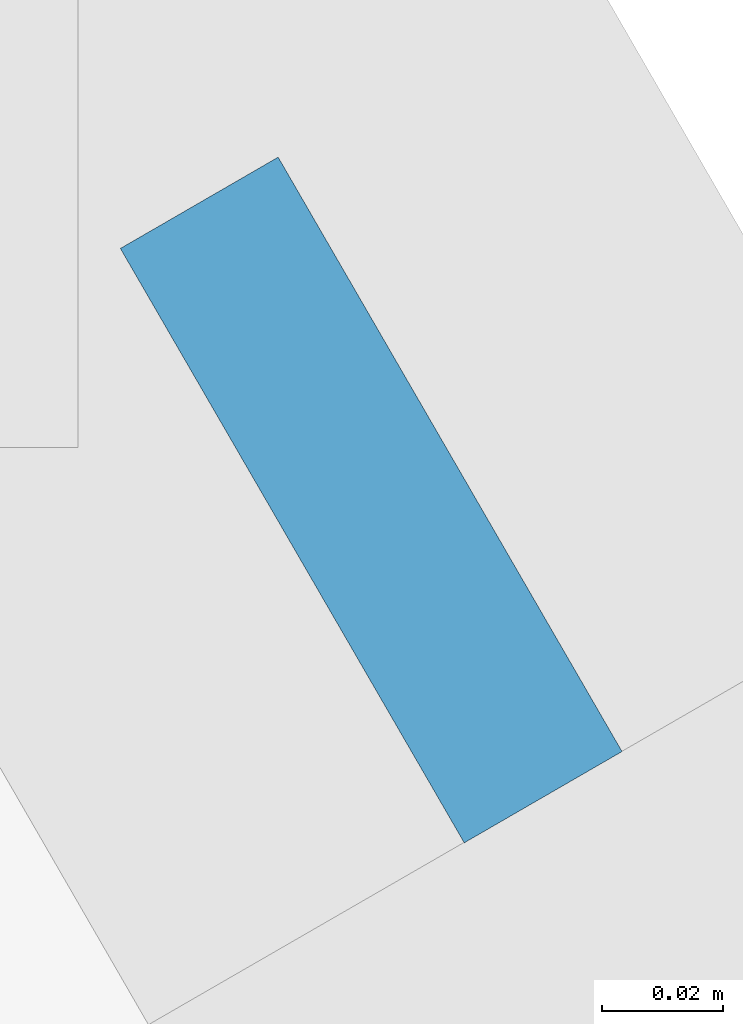
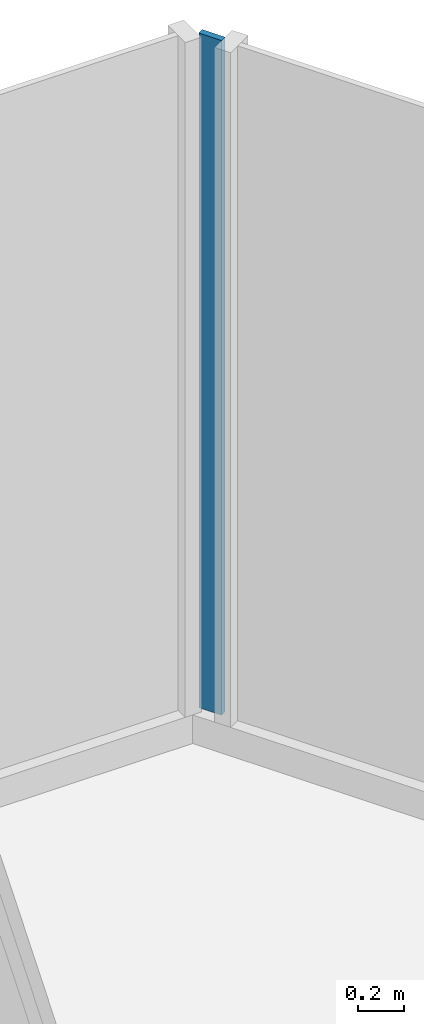
# One storey, part 25 of 35: 1 plate, 1 element without a shape of its own.
"""IFC4 building model written with IfcOpenShell, lengths in metres."""

from ifc_helpers import new_model, si_unit, direction, frame, origin, place, context, subcontext, project, spatial, polyline, outline, extrude, material, layer, layer_set, type_object, element, aggregate, save


model = new_model("IFC4")

# Units and contexts
model_context = context("Model", 3, precision=1e-05, world=origin(), true_north=direction((0.0, 1.0)))
body_context = subcontext(model_context, "Body", "Model", "MODEL_VIEW")
ifc_project = project(units=[si_unit("LENGTHUNIT", "METRE"), si_unit("AREAUNIT", "SQUARE_METRE"), si_unit("VOLUMEUNIT", "CUBIC_METRE"), si_unit("PLANEANGLEUNIT", "RADIAN"), si_unit("MASSUNIT", "GRAM", prefix="KILO")], contexts=[model_context])

# Site, building, storey
site_placement = place(None, origin())
site = spatial("IfcSite", under=ifc_project, at=site_placement, CompositionType="ELEMENT")
building_placement = place(site_placement, origin())
building = spatial("IfcBuilding", under=site, at=building_placement, Name="Firuza Gate Tower and Library", CompositionType="ELEMENT")
storey_placement = place(building_placement, frame((0.0, 0.0, 159.699951171875)))
storey = spatial("IfcBuildingStorey", under=building, at=storey_placement, Name="L36", CompositionType="ELEMENT", Elevation=159.699951171875)

# Curtain wall, plate
ifc_material_1 = material(Name="Aluminium 6063-T6", Category="aluminium")
ifc_layer_1 = layer(ifc_material_1, 0.14990234375)
ifc_layer_set_1 = layer_set([ifc_layer_1], Name="Unitised curtain wall, hotel")
curtain_wall_type = type_object("IfcCurtainWallType", Name="Unitised curtain wall, hotel", PredefinedType="NOTDEFINED", material=ifc_layer_set_1)
curtain_wall_placement = place(storey_placement, origin())
curtain_wall = element("IfcCurtainWall", 1, at=curtain_wall_placement, inside=storey, type_object=curtain_wall_type, Name="CW2 L36 E face", PredefinedType="NOTDEFINED")
ifc_material_2 = material(Name="Glazed ceramic tile")
ifc_layer_2 = layer(ifc_material_2, 0.030029296875)
ifc_layer_set_2 = layer_set([ifc_layer_2], Name="Opaque ceramic panel, hotel")
plate_type = type_object("IfcPlateType", Name="Opaque ceramic panel, hotel", PredefinedType="CURTAIN_PANEL", material=ifc_layer_set_2)
plate_placement = place(storey_placement, frame((78.73291015625, 108.392333984375, 0.150146484375), z_axis=(0.865574031608, 0.500780985868, 0.0), x_axis=(-0.500780985868, 0.865574031608, 0.0)))
plate = element("IfcPlate", 2, at=plate_placement, type_object=plate_type, Name="Opaque ceramic panel", PredefinedType="CURTAIN_PANEL", context=body_context, shape_type="SweptSolid", body=[
    extrude(outline(polyline([(0.0, 0.0), (0.11310458383689945, 0.0), (0.11310458383689945, 3.5498046875), (0.0, 3.5498046875), (0.0, 0.0)])), origin(), (0.0, 0.0, -1.0), 0.030029296875),
])
aggregate(curtain_wall, [plate])

save(model, "model.ifc")
